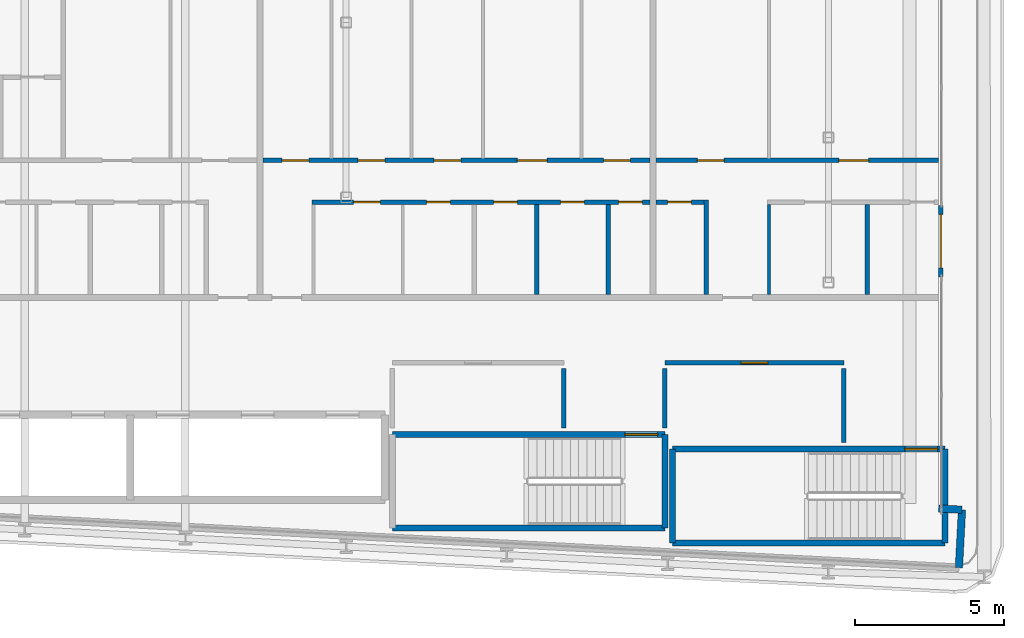
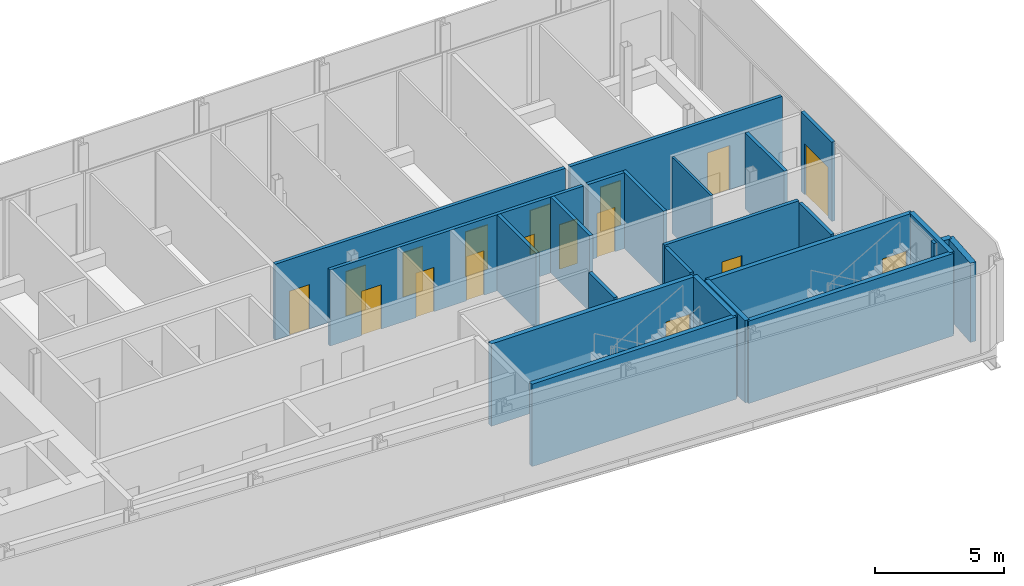
# One storey, part 13 of 24: 23 walls, 17 doors, 17 openings.
"""IFC4 building model written with IfcOpenShell, lengths in metres."""

from ifc_helpers import new_model, si_unit, direction, frame, frame_2d, origin, place, context, subcontext, project, spatial, rectangle, extrude, source, transform, mapped, material, layer, layer_set, type_object, element, fill, save


model = new_model("IFC4")

# Units and contexts
model_context = context("Model", 3, precision=1e-05, world=origin(), true_north=direction((0.0, 1.0)))
body_context = subcontext(model_context, "Body", "Model", "MODEL_VIEW")
ifc_project = project(units=[si_unit("LENGTHUNIT", "METRE"), si_unit("AREAUNIT", "SQUARE_METRE"), si_unit("VOLUMEUNIT", "CUBIC_METRE"), si_unit("PLANEANGLEUNIT", "RADIAN"), si_unit("MASSUNIT", "GRAM", prefix="KILO")], contexts=[model_context])

# Site, building, storey
site_placement = place(None, origin())
site = spatial("IfcSite", under=ifc_project, at=site_placement, CompositionType="ELEMENT")
building_placement = place(site_placement, origin())
building = spatial("IfcBuilding", under=site, at=building_placement, Name="Kheshtan School and Residences Tower", CompositionType="ELEMENT")
storey_placement = place(building_placement, frame((0.0, 0.0, 38.300048828125)))
storey = spatial("IfcBuildingStorey", under=building, at=storey_placement, Name="L08", CompositionType="ELEMENT", Elevation=38.300048828125)

# Walls
ifc_material_1 = material(Name="Concrete C40/50 with ceramic cladding and mineral wool insulation", Category="concrete")
ifc_layer_1 = layer(ifc_material_1, 0.25)
ifc_layer_set_1 = layer_set([ifc_layer_1], Name="External wall 250 ceramic clad")
wall_type_1 = type_object("IfcWallType", Name="External wall 250 ceramic clad", PredefinedType="SOLIDWALL", material=ifc_layer_set_1)
wall_1_placement = place(storey_placement, frame((89.10693359375, 23.407958984375, 0.0), z_axis=(0.0, 0.0, 1.0), x_axis=(0.998561284263, -0.053622398031, 0.0)))
element("IfcWall", 1, at=wall_1_placement, inside=storey, type_object=wall_type_1, Name="External wall L08 14", PredefinedType="SOLIDWALL", context=body_context, shape_type="SweptSolid", body=[
    extrude(rectangle(XDim=0.783203125, YDim=0.25, at=frame_2d((0.3916015625, 0.0))), origin(), (0.0, 0.0, 1.0), 3.75),
])
wall_2_placement = place(storey_placement, frame((89.888916015625, 23.365966796875, 0.0), z_axis=(0.0, 0.0, 1.0), x_axis=(-0.052841433274, -0.998602915542, 0.0)))
element("IfcWall", 2, at=wall_2_placement, inside=storey, type_object=wall_type_1, Name="External wall L08 15", PredefinedType="SOLIDWALL", context=body_context, shape_type="SweptSolid", body=[
    extrude(rectangle(XDim=1.94970703125, YDim=0.25, at=frame_2d((0.974853515625, 0.0))), origin(), (0.0, 0.0, 1.0), 3.75),
])

# Wall, opening, door
ifc_material_2 = material(Name="Aluminium frame wall with insulated infill", Category="aluminium")
ifc_layer_2 = layer(ifc_material_2, 0.14990234375)
ifc_layer_set_2 = layer_set([ifc_layer_2], Name="Glazing frame wall 150")
wall_type_2 = type_object("IfcWallType", Name="Glazing frame wall 150", PredefinedType="SOLIDWALL", material=ifc_layer_set_2)
wall_3_placement = place(storey_placement, frame((89.175048828125, 33.591064453125, 0.0), z_axis=(0.0, 0.0, 1.0), x_axis=(0.0, -1.0, 0.0)))
wall_3 = element("IfcWall", 3, at=wall_3_placement, inside=storey, type_object=wall_type_2, Name="Balcony door wall L08 13.2", PredefinedType="SOLIDWALL", context=body_context, shape_type="SweptSolid", body=[
    extrude(rectangle(XDim=2.400146484375, YDim=0.14990234375, at=frame_2d((1.2001953125, 0.0))), origin(), (0.0, 0.0, 1.0), 3.75),
])
opening_1_placement = place(wall_3_placement, frame((0.300048828125, 0.0, 0.0)))
opening_1 = element("IfcOpeningElement", 4, at=opening_1_placement, cuts=wall_3, Name="Opening BD", PredefinedType="OPENING", context=body_context, shape_type="SweptSolid", body=[
    extrude(rectangle(XDim=1.800048828125, YDim=2.39990234375, at=frame_2d((0.89990234375, 1.199951171875))), frame((0.0, 0.0849609375, 0.0), z_axis=(0.0, -1.0, 0.0), x_axis=(1.0, 0.0, 0.0)), (0.0, 0.0, 1.0), 0.169921875),
])
ifc_material_3 = material(Name="Clear low-e glass in thermally broken aluminium frame", Category="aluminium")
door_type_1 = type_object("IfcDoorType", Name="Balcony sliding door", OperationType="SLIDING_TO_LEFT", PredefinedType="DOOR", material=ifc_material_3)
shared_shape_1 = source(origin(), body_context, "Body", "SweptSolid", [
    extrude(rectangle(XDim=1.800048828125, YDim=2.39990234375, at=frame_2d((0.89990234375, 1.199951171875))), frame((0.0, 0.02490234375, 0.0), z_axis=(0.0, -1.0, 0.0), x_axis=(1.0, 0.0, 0.0)), (0.0, 0.0, 1.0), 0.050048828125),
])
door_1_placement = place(opening_1_placement, origin())
door_1 = element("IfcDoor", 5, at=door_1_placement, inside=storey, type_object=door_type_1, Name="Balcony door L08 13.2", OperationType="SLIDING_TO_LEFT", OverallHeight=2.39990234375, OverallWidth=1.800048828125, PredefinedType="DOOR", context=body_context, shape_type="MappedRepresentation", body=[
    mapped(shared_shape_1, transform((0.0, 0.0, 0.0), x_axis=(1.0, 0.0, 0.0), y_axis=(0.0, 1.0, 0.0), z_axis=(0.0, 0.0, 1.0), scale=1.0)),
])
fill(opening_1, door_1)

# Walls
ifc_material_4 = material(Name="Gypsum board on steel studs", Category="steel")
ifc_layer_3 = layer(ifc_material_4, 0.10009765625)
ifc_layer_set_3 = layer_set([ifc_layer_3], Name="Gypsum partition 100")
wall_type_3 = type_object("IfcWallType", Name="Gypsum partition 100", PredefinedType="PARTITIONING", material=ifc_layer_set_3)
wall_4_placement = place(storey_placement, frame((83.39990234375, 30.60009765625, 0.0), z_axis=(0.0, 0.0, 1.0), x_axis=(0.0, 1.0, 0.0)))
element("IfcWall", 6, at=wall_4_placement, inside=storey, type_object=wall_type_3, Name="Partition L08-075", PredefinedType="PARTITIONING", context=body_context, shape_type="SweptSolid", body=[
    extrude(rectangle(XDim=3.02490234375, YDim=0.10009765625, at=frame_2d((1.512451171875, 0.0))), origin(), (0.0, 0.0, 1.0), 3.599853515625),
])
ifc_material_5 = material(Name="Fire-board shaft wall system")
ifc_layer_4 = layer(ifc_material_5, 0.14990234375)
ifc_layer_set_4 = layer_set([ifc_layer_4], Name="Service room wall 150")
wall_type_4 = type_object("IfcWallType", Name="Service room wall 150", PredefinedType="PARTITIONING", material=ifc_layer_set_4)
wall_5_placement = place(storey_placement, frame((76.510009765625, 26.1201171875, 0.0), z_axis=(0.0, 0.0, 1.0), x_axis=(0.0, 1.0, 0.0)))
element("IfcWall", 7, at=wall_5_placement, inside=storey, type_object=wall_type_4, Name="Service room wall", PredefinedType="PARTITIONING", context=body_context, shape_type="SweptSolid", body=[
    extrude(rectangle(XDim=1.98486328125, YDim=0.14990234375, at=frame_2d((0.992431640625, 0.0))), origin(), (0.0, 0.0, 1.0), 3.89990234375),
])

# Wall, opening, door
wall_6_placement = place(storey_placement, frame((79.909912109375, 28.300048828125, 0.0), z_axis=(0.0, 0.0, 1.0), x_axis=(1.0, 0.0, 0.0)))
wall_6 = element("IfcWall", 8, at=wall_6_placement, inside=storey, type_object=wall_type_4, Name="Service room wall", PredefinedType="PARTITIONING", context=body_context, shape_type="SweptSolid", body=[
    extrude(rectangle(XDim=6.010009765625, YDim=0.14990234375, at=frame_2d((3.0048828125, 0.0))), origin(), (0.0, 0.0, 1.0), 3.89990234375),
])
opening_2_placement = place(wall_6_placement, frame((2.554931640625, 0.0, 0.0)))
opening_2 = element("IfcOpeningElement", 9, at=opening_2_placement, cuts=wall_6, Name="Opening SR90", PredefinedType="OPENING", context=body_context, shape_type="SweptSolid", body=[
    extrude(rectangle(XDim=0.89990234375, YDim=2.199951171875, at=frame_2d((0.449951171875, 1.10009765625))), frame((0.0, 0.0849609375, 0.0), z_axis=(0.0, -1.0, 0.0), x_axis=(1.0, 0.0, 0.0)), (0.0, 0.0, 1.0), 0.169921875),
])
ifc_material_6 = material(Name="Steel door leaf, galvanised", Category="steel")
door_type_2 = type_object("IfcDoorType", Name="Service room door 900 steel 90 min", OperationType="SINGLE_SWING_LEFT", PredefinedType="DOOR", material=ifc_material_6)
shared_shape_2 = source(origin(), body_context, "Body", "SweptSolid", [
    extrude(rectangle(XDim=0.89990234375, YDim=2.199951171875, at=frame_2d((0.449951171875, 1.10009765625))), frame((0.0, 0.02490234375, 0.0), z_axis=(0.0, -1.0, 0.0), x_axis=(1.0, 0.0, 0.0)), (0.0, 0.0, 1.0), 0.050048828125),
])
door_2_placement = place(opening_2_placement, origin())
door_2 = element("IfcDoor", 10, at=door_2_placement, inside=storey, type_object=door_type_2, Name="Service room door", OperationType="SINGLE_SWING_LEFT", OverallHeight=2.199951171875, OverallWidth=0.89990234375, PredefinedType="DOOR", context=body_context, shape_type="MappedRepresentation", body=[
    mapped(shared_shape_2, transform((0.0, 0.0, 0.0), x_axis=(1.0, 0.0, 0.0), y_axis=(0.0, 1.0, 0.0), z_axis=(0.0, 0.0, 1.0), scale=1.0)),
])
fill(opening_2, door_2)

# Walls
wall_7_placement = place(storey_placement, frame((79.909912109375, 26.1201171875, 0.0), z_axis=(0.0, 0.0, 1.0), x_axis=(0.0, 1.0, 0.0)))
element("IfcWall", 11, at=wall_7_placement, inside=storey, type_object=wall_type_4, Name="Service room wall", PredefinedType="PARTITIONING", context=body_context, shape_type="SweptSolid", body=[
    extrude(rectangle(XDim=1.98486328125, YDim=0.14990234375, at=frame_2d((0.992431640625, 0.0))), origin(), (0.0, 0.0, 1.0), 3.89990234375),
])
wall_8_placement = place(storey_placement, frame((85.919921875, 25.6201171875, 0.0), z_axis=(0.0, 0.0, 1.0), x_axis=(0.0, 1.0, 0.0)))
element("IfcWall", 12, at=wall_8_placement, inside=storey, type_object=wall_type_4, Name="Service room wall", PredefinedType="PARTITIONING", context=body_context, shape_type="SweptSolid", body=[
    extrude(rectangle(XDim=2.48486328125, YDim=0.14990234375, at=frame_2d((1.242431640625, 0.0))), origin(), (0.0, 0.0, 1.0), 3.89990234375),
])
ifc_material_7 = material(Name="Concrete C40/50", Category="concrete")
ifc_layer_5 = layer(ifc_material_7, 0.199951171875)
ifc_layer_set_5 = layer_set([ifc_layer_5], Name="Stair enclosure wall 200 Concrete C40/50")
wall_type_5 = type_object("IfcWallType", Name="Stair enclosure wall 200 Concrete C40/50", PredefinedType="SHEAR", material=ifc_layer_set_5)
wall_9_placement = place(storey_placement, frame((80.159912109375, 22.25, 0.0), z_axis=(0.0, 0.0, 1.0), x_axis=(1.0, 0.0, 0.0)))
element("IfcWall", 13, at=wall_9_placement, inside=storey, type_object=wall_type_5, Name="Stair enclosure wall ST4", PredefinedType="SHEAR", context=body_context, shape_type="SweptSolid", body=[
    extrude(rectangle(XDim=9.16015625, YDim=0.199951171875, at=frame_2d((4.580078125, 0.0))), origin(), (0.0, 0.0, 1.0), 3.89990234375),
])

# Wall, opening, door
wall_10_placement = place(storey_placement, frame((80.159912109375, 25.39990234375, 0.0), z_axis=(0.0, 0.0, 1.0), x_axis=(1.0, 0.0, 0.0)))
wall_10 = element("IfcWall", 14, at=wall_10_placement, inside=storey, type_object=wall_type_5, Name="Stair enclosure wall ST4", PredefinedType="SHEAR", context=body_context, shape_type="SweptSolid", body=[
    extrude(rectangle(XDim=9.16015625, YDim=0.199951171875, at=frame_2d((4.580078125, 0.0))), origin(), (0.0, 0.0, 1.0), 3.89990234375),
])
opening_3_placement = place(wall_10_placement, frame((7.81005859375, 0.0, 0.0)))
opening_3 = element("IfcOpeningElement", 15, at=opening_3_placement, cuts=wall_10, Name="Opening ST4D", PredefinedType="OPENING", context=body_context, shape_type="SweptSolid", body=[
    extrude(rectangle(XDim=1.10009765625, YDim=2.199951171875, at=frame_2d((0.550048828125, 1.10009765625))), frame((0.0, 0.10986328125, 0.0), z_axis=(0.0, -1.0, 0.0), x_axis=(1.0, 0.0, 0.0)), (0.0, 0.0, 1.0), 0.219970703125),
])
door_type_3 = type_object("IfcDoorType", Name="Stair door 1100 steel 90 min", OperationType="SINGLE_SWING_LEFT", PredefinedType="DOOR", material=ifc_material_6)
shared_shape_3 = source(origin(), body_context, "Body", "SweptSolid", [
    extrude(rectangle(XDim=1.10009765625, YDim=2.199951171875, at=frame_2d((0.550048828125, 1.10009765625))), frame((0.0, 0.02490234375, 0.0), z_axis=(0.0, -1.0, 0.0), x_axis=(1.0, 0.0, 0.0)), (0.0, 0.0, 1.0), 0.050048828125),
])
door_3_placement = place(opening_3_placement, origin())
door_3 = element("IfcDoor", 16, at=door_3_placement, inside=storey, type_object=door_type_3, Name="Stair ST4 door", OperationType="SINGLE_SWING_LEFT", OverallHeight=2.199951171875, OverallWidth=1.10009765625, PredefinedType="DOOR", context=body_context, shape_type="MappedRepresentation", body=[
    mapped(shared_shape_3, transform((0.0, 0.0, 0.0), x_axis=(1.0, 0.0, 0.0), y_axis=(0.0, 1.0, 0.0), z_axis=(0.0, 0.0, 1.0), scale=1.0)),
])
fill(opening_3, door_3)

# Walls
for number, where, z_axis, x_axis, name in (
    (17, (80.159912109375, 22.25, 0.0), (0.0, 0.0, 1.0), (0.0, 1.0, 0.0), "Stair enclosure wall ST4"),
    (18, (89.320068359375, 22.25, 0.0), (0.0, 0.0, 1.0), (0.0, 1.0, 0.0), "Stair enclosure wall ST4"),
):
    element("IfcWall", number, at=place(storey_placement, frame(where, z_axis=z_axis, x_axis=x_axis)), inside=storey, type_object=wall_type_5, Name=name, PredefinedType="SHEAR", context=body_context, shape_type="SweptSolid", body=[
        extrude(rectangle(XDim=3.14990234375, YDim=0.199951171875, at=frame_2d((1.574951171875, 0.0))), origin(), (0.0, 0.0, 1.0), 3.89990234375),
    ])
wall_11_placement = place(storey_placement, frame((70.75, 22.75, 0.0), z_axis=(0.0, 0.0, 1.0), x_axis=(1.0, 0.0, 0.0)))
element("IfcWall", 19, at=wall_11_placement, inside=storey, type_object=wall_type_5, Name="Stair enclosure wall ST5", PredefinedType="SHEAR", context=body_context, shape_type="SweptSolid", body=[
    extrude(rectangle(XDim=9.159912109375, YDim=0.199951171875, at=frame_2d((4.580078125, 0.0))), origin(), (0.0, 0.0, 1.0), 3.89990234375),
])

# Wall, opening, door
wall_12_placement = place(storey_placement, frame((70.75, 25.89990234375, 0.0), z_axis=(0.0, 0.0, 1.0), x_axis=(1.0, 0.0, 0.0)))
wall_12 = element("IfcWall", 20, at=wall_12_placement, inside=storey, type_object=wall_type_5, Name="Stair enclosure wall ST5", PredefinedType="SHEAR", context=body_context, shape_type="SweptSolid", body=[
    extrude(rectangle(XDim=9.159912109375, YDim=0.199951171875, at=frame_2d((4.580078125, 0.0))), origin(), (0.0, 0.0, 1.0), 3.89990234375),
])
opening_4_placement = place(wall_12_placement, frame((7.81005859375, 0.0, 0.0)))
opening_4 = element("IfcOpeningElement", 21, at=opening_4_placement, cuts=wall_12, Name="Opening ST5D", PredefinedType="OPENING", context=body_context, shape_type="SweptSolid", body=[
    extrude(rectangle(XDim=1.10009765625, YDim=2.199951171875, at=frame_2d((0.550048828125, 1.10009765625))), frame((0.0, 0.10986328125, 0.0), z_axis=(0.0, -1.0, 0.0), x_axis=(1.0, 0.0, 0.0)), (0.0, 0.0, 1.0), 0.219970703125),
])
door_4_placement = place(opening_4_placement, origin())
door_4 = element("IfcDoor", 22, at=door_4_placement, inside=storey, type_object=door_type_3, Name="Stair ST5 door", OperationType="SINGLE_SWING_LEFT", OverallHeight=2.199951171875, OverallWidth=1.10009765625, PredefinedType="DOOR", context=body_context, shape_type="MappedRepresentation", body=[
    mapped(shared_shape_3, transform((0.0, 0.0, 0.0), x_axis=(1.0, 0.0, 0.0), y_axis=(0.0, 1.0, 0.0), z_axis=(0.0, 0.0, 1.0), scale=1.0)),
])
fill(opening_4, door_4)

# Wall
wall_13_placement = place(storey_placement, frame((79.909912109375, 22.75, 0.0), z_axis=(0.0, 0.0, 1.0), x_axis=(0.0, 1.0, 0.0)))
element("IfcWall", 23, at=wall_13_placement, inside=storey, type_object=wall_type_5, Name="Stair enclosure wall ST5", PredefinedType="SHEAR", context=body_context, shape_type="SweptSolid", body=[
    extrude(rectangle(XDim=3.14990234375, YDim=0.199951171875, at=frame_2d((1.574951171875, 0.0))), origin(), (0.0, 0.0, 1.0), 3.89990234375),
])

# Wall, openings, doors
ifc_material_8 = material(Name="Moisture-resistant gypsum board on steel studs", Category="steel")
ifc_layer_6 = layer(ifc_material_8, 0.14990234375)
ifc_layer_set_6 = layer_set([ifc_layer_6], Name="Wet-room partition 150")
wall_type_6 = type_object("IfcWallType", Name="Wet-room partition 150", PredefinedType="PARTITIONING", material=ifc_layer_set_6)
wall_14_placement = place(storey_placement, frame((66.39990234375, 35.10009765625, 0.0), z_axis=(0.0, 0.0, 1.0), x_axis=(1.0, 0.0, 0.0)))
wall_14 = element("IfcWall", 24, at=wall_14_placement, inside=storey, type_object=wall_type_6, Name="Partition L08-059", PredefinedType="PARTITIONING", context=body_context, shape_type="SweptSolid", body=[
    extrude(rectangle(XDim=13.0, YDim=0.14990234375, at=frame_2d((6.5, 0.0))), origin(), (0.0, 0.0, 1.0), 3.599853515625),
])
opening_5_placement = place(wall_14_placement, frame((0.64990234375, 0.0, 0.0)))
opening_5 = element("IfcOpeningElement", 25, at=opening_5_placement, cuts=wall_14, Name="Opening D08-012", PredefinedType="OPENING", context=body_context, shape_type="SweptSolid", body=[
    extrude(rectangle(XDim=0.89990234375, YDim=2.10009765625, at=frame_2d((0.449951171875, 1.050048828125))), frame((0.0, 0.0849609375, 0.0), z_axis=(0.0, -1.0, 0.0), x_axis=(1.0, 0.0, 0.0)), (0.0, 0.0, 1.0), 0.169921875),
])
opening_6_placement = place(wall_14_placement, frame((11.449951171875, 0.0, 0.0)))
opening_6 = element("IfcOpeningElement", 26, at=opening_6_placement, cuts=wall_14, Name="Opening D08-013", PredefinedType="OPENING", context=body_context, shape_type="SweptSolid", body=[
    extrude(rectangle(XDim=0.89990234375, YDim=2.10009765625, at=frame_2d((0.449951171875, 1.050048828125))), frame((0.0, 0.0849609375, 0.0), z_axis=(0.0, -1.0, 0.0), x_axis=(1.0, 0.0, 0.0)), (0.0, 0.0, 1.0), 0.169921875),
])
opening_7_placement = place(wall_14_placement, frame((8.550048828125, 0.0, 0.0)))
opening_7 = element("IfcOpeningElement", 27, at=opening_7_placement, cuts=wall_14, Name="Opening D08-017", PredefinedType="OPENING", context=body_context, shape_type="SweptSolid", body=[
    extrude(rectangle(XDim=1.0, YDim=2.10009765625, at=frame_2d((0.5, 1.050048828125))), frame((0.0, 0.0849609375, 0.0), z_axis=(0.0, -1.0, 0.0), x_axis=(1.0, 0.0, 0.0)), (0.0, 0.0, 1.0), 0.169921875),
])
opening_8_placement = place(wall_14_placement, frame((5.75, 0.0, 0.0)))
opening_8 = element("IfcOpeningElement", 28, at=opening_8_placement, cuts=wall_14, Name="Opening D08-018", PredefinedType="OPENING", context=body_context, shape_type="SweptSolid", body=[
    extrude(rectangle(XDim=0.89990234375, YDim=2.10009765625, at=frame_2d((0.449951171875, 1.050048828125))), frame((0.0, 0.0849609375, 0.0), z_axis=(0.0, -1.0, 0.0), x_axis=(1.0, 0.0, 0.0)), (0.0, 0.0, 1.0), 0.169921875),
])
opening_9_placement = place(wall_14_placement, frame((3.199951171875, 0.0, 0.0)))
opening_9 = element("IfcOpeningElement", 29, at=opening_9_placement, cuts=wall_14, Name="Opening D08-019", PredefinedType="OPENING", context=body_context, shape_type="SweptSolid", body=[
    extrude(rectangle(XDim=0.89990234375, YDim=2.10009765625, at=frame_2d((0.449951171875, 1.050048828125))), frame((0.0, 0.0849609375, 0.0), z_axis=(0.0, -1.0, 0.0), x_axis=(1.0, 0.0, 0.0)), (0.0, 0.0, 1.0), 0.169921875),
])
ifc_material_9 = material(Name="Veneered timber door leaf", Category="wood")
door_type_4 = type_object("IfcDoorType", Name="Door 1000 x 2100", OperationType="SINGLE_SWING_LEFT", PredefinedType="DOOR", material=ifc_material_9)
shared_shape_4 = source(origin(), body_context, "Body", "SweptSolid", [
    extrude(rectangle(XDim=1.0, YDim=2.10009765625, at=frame_2d((0.5, 1.050048828125))), frame((0.0, 0.02490234375, 0.0), z_axis=(0.0, -1.0, 0.0), x_axis=(1.0, 0.0, 0.0)), (0.0, 0.0, 1.0), 0.050048828125),
])
door_5_placement = place(opening_7_placement, origin())
door_5 = element("IfcDoor", 30, at=door_5_placement, inside=storey, type_object=door_type_4, Name="Door D08-017", OperationType="SINGLE_SWING_LEFT", OverallHeight=2.10009765625, OverallWidth=1.0, PredefinedType="DOOR", context=body_context, shape_type="MappedRepresentation", body=[
    mapped(shared_shape_4, transform((0.0, 0.0, 0.0), x_axis=(1.0, 0.0, 0.0), y_axis=(0.0, 1.0, 0.0), z_axis=(0.0, 0.0, 1.0), scale=1.0)),
])
fill(opening_7, door_5)
door_type_5 = type_object("IfcDoorType", Name="Door 900 x 2100", OperationType="SINGLE_SWING_LEFT", PredefinedType="DOOR", material=ifc_material_9)
shared_shape_5 = source(origin(), body_context, "Body", "SweptSolid", [
    extrude(rectangle(XDim=0.89990234375, YDim=2.10009765625, at=frame_2d((0.449951171875, 1.050048828125))), frame((0.0, 0.02490234375, 0.0), z_axis=(0.0, -1.0, 0.0), x_axis=(1.0, 0.0, 0.0)), (0.0, 0.0, 1.0), 0.050048828125),
])
door_6_placement = place(opening_5_placement, origin())
door_6 = element("IfcDoor", 31, at=door_6_placement, inside=storey, type_object=door_type_5, Name="Door D08-012", OperationType="SINGLE_SWING_RIGHT", OverallHeight=2.10009765625, OverallWidth=0.89990234375, PredefinedType="DOOR", context=body_context, shape_type="MappedRepresentation", body=[
    mapped(shared_shape_5, transform((0.0, 0.0, 0.0), x_axis=(1.0, 0.0, 0.0), y_axis=(0.0, 1.0, 0.0), z_axis=(0.0, 0.0, 1.0), scale=1.0)),
])
fill(opening_5, door_6)
door_7_placement = place(opening_6_placement, origin())
door_7 = element("IfcDoor", 32, at=door_7_placement, inside=storey, type_object=door_type_5, Name="Door D08-013", OperationType="SINGLE_SWING_RIGHT", OverallHeight=2.10009765625, OverallWidth=0.89990234375, PredefinedType="DOOR", context=body_context, shape_type="MappedRepresentation", body=[
    mapped(shared_shape_5, transform((0.0, 0.0, 0.0), x_axis=(1.0, 0.0, 0.0), y_axis=(0.0, 1.0, 0.0), z_axis=(0.0, 0.0, 1.0), scale=1.0)),
])
fill(opening_6, door_7)
door_8_placement = place(opening_8_placement, origin())
door_8 = element("IfcDoor", 33, at=door_8_placement, inside=storey, type_object=door_type_5, Name="Door D08-018", OperationType="SINGLE_SWING_RIGHT", OverallHeight=2.10009765625, OverallWidth=0.89990234375, PredefinedType="DOOR", context=body_context, shape_type="MappedRepresentation", body=[
    mapped(shared_shape_5, transform((0.0, 0.0, 0.0), x_axis=(1.0, 0.0, 0.0), y_axis=(0.0, 1.0, 0.0), z_axis=(0.0, 0.0, 1.0), scale=1.0)),
])
fill(opening_8, door_8)
door_9_placement = place(opening_9_placement, origin())
door_9 = element("IfcDoor", 34, at=door_9_placement, inside=storey, type_object=door_type_5, Name="Door D08-019", OperationType="SINGLE_SWING_RIGHT", OverallHeight=2.10009765625, OverallWidth=0.89990234375, PredefinedType="DOOR", context=body_context, shape_type="MappedRepresentation", body=[
    mapped(shared_shape_5, transform((0.0, 0.0, 0.0), x_axis=(1.0, 0.0, 0.0), y_axis=(0.0, 1.0, 0.0), z_axis=(0.0, 0.0, 1.0), scale=1.0)),
])
fill(opening_9, door_9)

wall_15_placement = place(storey_placement, frame((68.050048828125, 33.699951171875, 0.0), z_axis=(0.0, 0.0, 1.0), x_axis=(1.0, 0.0, 0.0)))
wall_15 = element("IfcWall", 35, at=wall_15_placement, inside=storey, type_object=wall_type_6, Name="Partition L08-060", PredefinedType="PARTITIONING", context=body_context, shape_type="SweptSolid", body=[
    extrude(rectangle(XDim=11.349853515625, YDim=0.14990234375, at=frame_2d((5.6748046875, 0.0))), origin(), (0.0, 0.0, 1.0), 3.599853515625),
])
opening_10_placement = place(wall_15_placement, frame((6.10009765625, 0.0, 0.0)))
opening_10 = element("IfcOpeningElement", 36, at=opening_10_placement, cuts=wall_15, Name="Opening D08-010", PredefinedType="OPENING", context=body_context, shape_type="SweptSolid", body=[
    extrude(rectangle(XDim=0.800048828125, YDim=2.10009765625, at=frame_2d((0.39990234375, 1.050048828125))), frame((0.0, 0.0849609375, 0.0), z_axis=(0.0, -1.0, 0.0), x_axis=(1.0, 0.0, 0.0)), (0.0, 0.0, 1.0), 0.169921875),
])
opening_11_placement = place(wall_15_placement, frame((8.35009765625, 0.0, 0.0)))
opening_11 = element("IfcOpeningElement", 37, at=opening_11_placement, cuts=wall_15, Name="Opening D08-011", PredefinedType="OPENING", context=body_context, shape_type="SweptSolid", body=[
    extrude(rectangle(XDim=0.800048828125, YDim=2.10009765625, at=frame_2d((0.39990234375, 1.050048828125))), frame((0.0, 0.0849609375, 0.0), z_axis=(0.0, -1.0, 0.0), x_axis=(1.0, 0.0, 0.0)), (0.0, 0.0, 1.0), 0.169921875),
])
opening_12_placement = place(wall_15_placement, frame((3.85009765625, 0.0, 0.0)))
opening_12 = element("IfcOpeningElement", 38, at=opening_12_placement, cuts=wall_15, Name="Opening D08-014", PredefinedType="OPENING", context=body_context, shape_type="SweptSolid", body=[
    extrude(rectangle(XDim=0.800048828125, YDim=2.10009765625, at=frame_2d((0.39990234375, 1.050048828125))), frame((0.0, 0.0849609375, 0.0), z_axis=(0.0, -1.0, 0.0), x_axis=(1.0, 0.0, 0.0)), (0.0, 0.0, 1.0), 0.169921875),
])
opening_13_placement = place(wall_15_placement, frame((1.39990234375, 0.0, 0.0)))
opening_13 = element("IfcOpeningElement", 39, at=opening_13_placement, cuts=wall_15, Name="Opening D08-016", PredefinedType="OPENING", context=body_context, shape_type="SweptSolid", body=[
    extrude(rectangle(XDim=0.89990234375, YDim=2.10009765625, at=frame_2d((0.449951171875, 1.050048828125))), frame((0.0, 0.0849609375, 0.0), z_axis=(0.0, -1.0, 0.0), x_axis=(1.0, 0.0, 0.0)), (0.0, 0.0, 1.0), 0.169921875),
])
opening_14_placement = place(wall_15_placement, frame((10.300048828125, 0.0, 0.0)))
opening_14 = element("IfcOpeningElement", 40, at=opening_14_placement, cuts=wall_15, Name="Opening D08-020", PredefinedType="OPENING", context=body_context, shape_type="SweptSolid", body=[
    extrude(rectangle(XDim=0.800048828125, YDim=2.10009765625, at=frame_2d((0.39990234375, 1.050048828125))), frame((0.0, 0.0849609375, 0.0), z_axis=(0.0, -1.0, 0.0), x_axis=(1.0, 0.0, 0.0)), (0.0, 0.0, 1.0), 0.169921875),
])
door_type_6 = type_object("IfcDoorType", Name="Door 800 x 2100", OperationType="SINGLE_SWING_LEFT", PredefinedType="DOOR", material=ifc_material_9)
shared_shape_6 = source(origin(), body_context, "Body", "SweptSolid", [
    extrude(rectangle(XDim=0.800048828125, YDim=2.10009765625, at=frame_2d((0.39990234375, 1.050048828125))), frame((0.0, 0.02490234375, 0.0), z_axis=(0.0, -1.0, 0.0), x_axis=(1.0, 0.0, 0.0)), (0.0, 0.0, 1.0), 0.050048828125),
])
door_10_placement = place(opening_10_placement, origin())
door_10 = element("IfcDoor", 41, at=door_10_placement, inside=storey, type_object=door_type_6, Name="Door D08-010", OperationType="SINGLE_SWING_RIGHT", OverallHeight=2.10009765625, OverallWidth=0.800048828125, PredefinedType="DOOR", context=body_context, shape_type="MappedRepresentation", body=[
    mapped(shared_shape_6, transform((0.0, 0.0, 0.0), x_axis=(1.0, 0.0, 0.0), y_axis=(0.0, 1.0, 0.0), z_axis=(0.0, 0.0, 1.0), scale=1.0)),
])
fill(opening_10, door_10)
door_11_placement = place(opening_11_placement, origin())
door_11 = element("IfcDoor", 42, at=door_11_placement, inside=storey, type_object=door_type_6, Name="Door D08-011", OperationType="SINGLE_SWING_LEFT", OverallHeight=2.10009765625, OverallWidth=0.800048828125, PredefinedType="DOOR", context=body_context, shape_type="MappedRepresentation", body=[
    mapped(shared_shape_6, transform((0.0, 0.0, 0.0), x_axis=(1.0, 0.0, 0.0), y_axis=(0.0, 1.0, 0.0), z_axis=(0.0, 0.0, 1.0), scale=1.0)),
])
fill(opening_11, door_11)
door_12_placement = place(opening_12_placement, origin())
door_12 = element("IfcDoor", 43, at=door_12_placement, inside=storey, type_object=door_type_6, Name="Door D08-014", OperationType="SINGLE_SWING_LEFT", OverallHeight=2.10009765625, OverallWidth=0.800048828125, PredefinedType="DOOR", context=body_context, shape_type="MappedRepresentation", body=[
    mapped(shared_shape_6, transform((0.0, 0.0, 0.0), x_axis=(1.0, 0.0, 0.0), y_axis=(0.0, 1.0, 0.0), z_axis=(0.0, 0.0, 1.0), scale=1.0)),
])
fill(opening_12, door_12)
door_13_placement = place(opening_14_placement, origin())
door_13 = element("IfcDoor", 44, at=door_13_placement, inside=storey, type_object=door_type_6, Name="Door D08-020", OperationType="SINGLE_SWING_RIGHT", OverallHeight=2.10009765625, OverallWidth=0.800048828125, PredefinedType="DOOR", context=body_context, shape_type="MappedRepresentation", body=[
    mapped(shared_shape_6, transform((0.0, 0.0, 0.0), x_axis=(1.0, 0.0, 0.0), y_axis=(0.0, 1.0, 0.0), z_axis=(0.0, 0.0, 1.0), scale=1.0)),
])
fill(opening_14, door_13)
door_14_placement = place(opening_13_placement, origin())
door_14 = element("IfcDoor", 45, at=door_14_placement, inside=storey, type_object=door_type_5, Name="Door D08-016", OperationType="SINGLE_SWING_LEFT", OverallHeight=2.10009765625, OverallWidth=0.89990234375, PredefinedType="DOOR", context=body_context, shape_type="MappedRepresentation", body=[
    mapped(shared_shape_5, transform((0.0, 0.0, 0.0), x_axis=(1.0, 0.0, 0.0), y_axis=(0.0, 1.0, 0.0), z_axis=(0.0, 0.0, 1.0), scale=1.0)),
])
fill(opening_13, door_14)

# Walls
for number, where, z_axis, x_axis, name in (
    (46, (75.60009765625, 30.60009765625, 0.0), (0.0, 0.0, 1.0), (0.0, 1.0, 0.0), "Partition L08-067"),
    (47, (78.0, 30.60009765625, 0.0), (0.0, 0.0, 1.0), (0.0, 1.0, 0.0), "Partition L08-069"),
):
    element("IfcWall", number, at=place(storey_placement, frame(where, z_axis=z_axis, x_axis=x_axis)), inside=storey, type_object=wall_type_6, Name=name, PredefinedType="PARTITIONING", context=body_context, shape_type="SweptSolid", body=[
        extrude(rectangle(XDim=3.02490234375, YDim=0.14990234375, at=frame_2d((1.512451171875, 0.0))), origin(), (0.0, 0.0, 1.0), 3.599853515625),
    ])

# Wall, opening, door
wall_16_placement = place(storey_placement, frame((79.60009765625, 33.699951171875, 0.0), z_axis=(0.0, 0.0, 1.0), x_axis=(1.0, 0.0, 0.0)))
wall_16 = element("IfcWall", 48, at=wall_16_placement, inside=storey, type_object=wall_type_6, Name="Partition L08-071", PredefinedType="PARTITIONING", context=body_context, shape_type="SweptSolid", body=[
    extrude(rectangle(XDim=1.625, YDim=0.14990234375, at=frame_2d((0.8125, 0.0))), origin(), (0.0, 0.0, 1.0), 3.599853515625),
])
opening_15_placement = place(wall_16_placement, frame((0.39990234375, 0.0, 0.0)))
opening_15 = element("IfcOpeningElement", 49, at=opening_15_placement, cuts=wall_16, Name="Opening D08-026", PredefinedType="OPENING", context=body_context, shape_type="SweptSolid", body=[
    extrude(rectangle(XDim=0.800048828125, YDim=2.10009765625, at=frame_2d((0.39990234375, 1.050048828125))), frame((0.0, 0.0849609375, 0.0), z_axis=(0.0, -1.0, 0.0), x_axis=(1.0, 0.0, 0.0)), (0.0, 0.0, 1.0), 0.169921875),
])
door_15_placement = place(opening_15_placement, origin())
door_15 = element("IfcDoor", 50, at=door_15_placement, inside=storey, type_object=door_type_6, Name="Door D08-026", OperationType="SINGLE_SWING_LEFT", OverallHeight=2.10009765625, OverallWidth=0.800048828125, PredefinedType="DOOR", context=body_context, shape_type="MappedRepresentation", body=[
    mapped(shared_shape_6, transform((0.0, 0.0, 0.0), x_axis=(1.0, 0.0, 0.0), y_axis=(0.0, 1.0, 0.0), z_axis=(0.0, 0.0, 1.0), scale=1.0)),
])
fill(opening_15, door_15)

# Wall, openings, doors
wall_17_placement = place(storey_placement, frame((79.60009765625, 35.10009765625, 0.0), z_axis=(0.0, 0.0, 1.0), x_axis=(1.0, 0.0, 0.0)))
wall_17 = element("IfcWall", 51, at=wall_17_placement, inside=storey, type_object=wall_type_6, Name="Partition L08-072", PredefinedType="PARTITIONING", context=body_context, shape_type="SweptSolid", body=[
    extrude(rectangle(XDim=9.5, YDim=0.14990234375, at=frame_2d((4.75, 0.0))), origin(), (0.0, 0.0, 1.0), 3.599853515625),
])
opening_16_placement = place(wall_17_placement, frame((1.39990234375, 0.0, 0.0)))
opening_16 = element("IfcOpeningElement", 52, at=opening_16_placement, cuts=wall_17, Name="Opening D08-022", PredefinedType="OPENING", context=body_context, shape_type="SweptSolid", body=[
    extrude(rectangle(XDim=0.89990234375, YDim=2.10009765625, at=frame_2d((0.449951171875, 1.050048828125))), frame((0.0, 0.0849609375, 0.0), z_axis=(0.0, -1.0, 0.0), x_axis=(1.0, 0.0, 0.0)), (0.0, 0.0, 1.0), 0.169921875),
])
opening_17_placement = place(wall_17_placement, frame((6.14990234375, 0.0, 0.0)))
opening_17 = element("IfcOpeningElement", 53, at=opening_17_placement, cuts=wall_17, Name="Opening D08-025", PredefinedType="OPENING", context=body_context, shape_type="SweptSolid", body=[
    extrude(rectangle(XDim=1.0, YDim=2.10009765625, at=frame_2d((0.5, 1.050048828125))), frame((0.0, 0.0849609375, 0.0), z_axis=(0.0, -1.0, 0.0), x_axis=(1.0, 0.0, 0.0)), (0.0, 0.0, 1.0), 0.169921875),
])
door_16_placement = place(opening_17_placement, origin())
door_16 = element("IfcDoor", 54, at=door_16_placement, inside=storey, type_object=door_type_4, Name="Door D08-025", OperationType="SINGLE_SWING_LEFT", OverallHeight=2.10009765625, OverallWidth=1.0, PredefinedType="DOOR", context=body_context, shape_type="MappedRepresentation", body=[
    mapped(shared_shape_4, transform((0.0, 0.0, 0.0), x_axis=(1.0, 0.0, 0.0), y_axis=(0.0, 1.0, 0.0), z_axis=(0.0, 0.0, 1.0), scale=1.0)),
])
fill(opening_17, door_16)
door_17_placement = place(opening_16_placement, origin())
door_17 = element("IfcDoor", 55, at=door_17_placement, inside=storey, type_object=door_type_5, Name="Door D08-022", OperationType="SINGLE_SWING_RIGHT", OverallHeight=2.10009765625, OverallWidth=0.89990234375, PredefinedType="DOOR", context=body_context, shape_type="MappedRepresentation", body=[
    mapped(shared_shape_5, transform((0.0, 0.0, 0.0), x_axis=(1.0, 0.0, 0.0), y_axis=(0.0, 1.0, 0.0), z_axis=(0.0, 0.0, 1.0), scale=1.0)),
])
fill(opening_16, door_17)

# Walls
wall_18_placement = place(storey_placement, frame((81.300048828125, 30.60009765625, 0.0), z_axis=(0.0, 0.0, 1.0), x_axis=(0.0, 1.0, 0.0)))
element("IfcWall", 56, at=wall_18_placement, inside=storey, type_object=wall_type_6, Name="Partition L08-073", PredefinedType="PARTITIONING", context=body_context, shape_type="SweptSolid", body=[
    extrude(rectangle(XDim=3.1748046875, YDim=0.14990234375, at=frame_2d((1.58740234375, 0.0))), origin(), (0.0, 0.0, 1.0), 3.599853515625),
])
wall_19_placement = place(storey_placement, frame((86.699951171875, 30.60009765625, 0.0), z_axis=(0.0, 0.0, 1.0), x_axis=(0.0, 1.0, 0.0)))
element("IfcWall", 57, at=wall_19_placement, inside=storey, type_object=wall_type_6, Name="Partition L08-077", PredefinedType="PARTITIONING", context=body_context, shape_type="SweptSolid", body=[
    extrude(rectangle(XDim=3.02490234375, YDim=0.14990234375, at=frame_2d((1.512451171875, 0.0))), origin(), (0.0, 0.0, 1.0), 3.599853515625),
])

save(model, "model.ifc")
